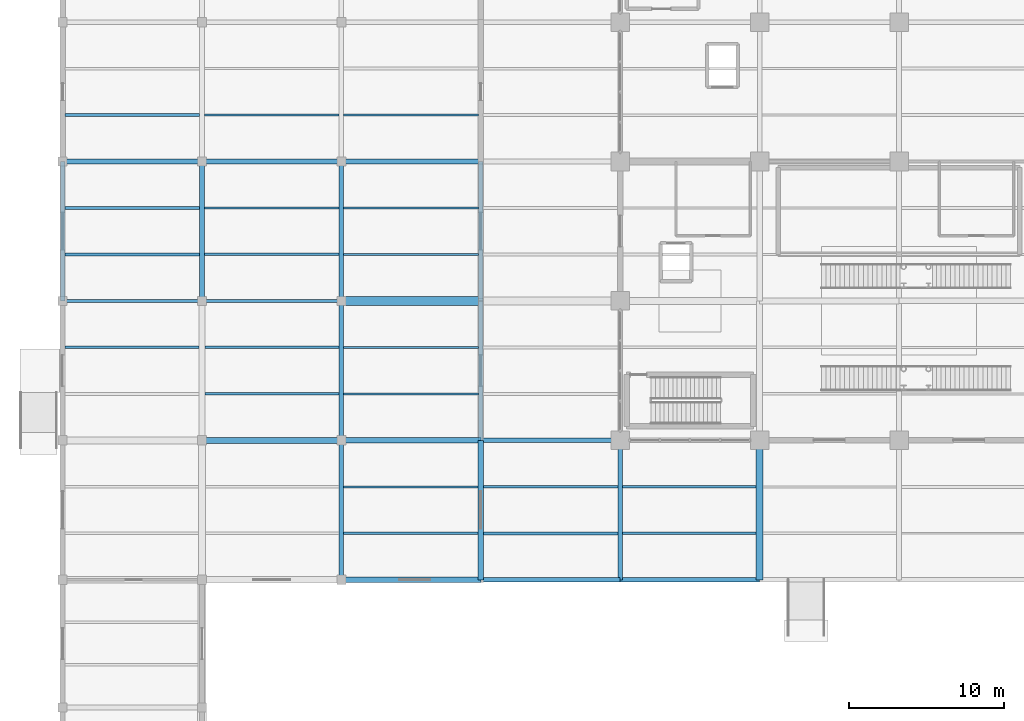
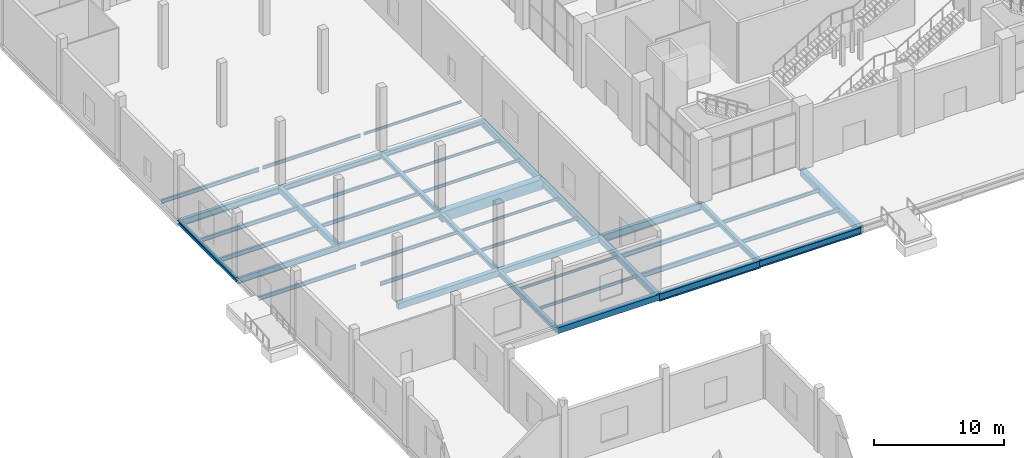
# One storey, part 16 of 144: 42 beams.
"""IFC4 building model written with IfcOpenShell, lengths in metres."""

from ifc_helpers import new_model, si_unit, direction, frame, origin, origin_2d, place, context, subcontext, project, spatial, rectangle, i_section, extrude, material, material_profile, profile_set, type_object, element, save


model = new_model("IFC4")

# Units and contexts
model_context = context("Model", 3, precision=1e-05, world=origin(), true_north=direction((0.0, 1.0)))
body_context = subcontext(model_context, "Body", "Model", "MODEL_VIEW")
ifc_project = project(units=[si_unit("LENGTHUNIT", "METRE"), si_unit("AREAUNIT", "SQUARE_METRE"), si_unit("VOLUMEUNIT", "CUBIC_METRE"), si_unit("PLANEANGLEUNIT", "RADIAN"), si_unit("MASSUNIT", "GRAM", prefix="KILO")], contexts=[model_context])

# Site, building, storey
site_placement = place(None, origin())
site = spatial("IfcSite", under=ifc_project, at=site_placement, CompositionType="ELEMENT")
building_placement = place(site_placement, origin())
building = spatial("IfcBuilding", under=site, at=building_placement, Name="Sundgate Opera House", CompositionType="ELEMENT")
storey_placement = place(building_placement, origin())
storey = spatial("IfcBuildingStorey", under=building, at=storey_placement, Name="L00", CompositionType="ELEMENT", Elevation=0.0)

# Beams
ifc_material_1 = material(Name="Steel S355J2", Category="steel")
ifc_material_profile_1 = material_profile(ifc_material_1, i_section(OverallWidth=0.300048828125, OverallDepth=0.389892578125, WebThickness=0.010986328125, FlangeThickness=0.01904296875, at=origin_2d()), Name="HEA 400")
ifc_profile_set_1 = profile_set([ifc_material_profile_1], Name="Steel S355J2")
beam_type_1 = type_object("IfcBeamType", Name="BM-GR-HEA400", PredefinedType="BEAM", material=ifc_profile_set_1)
beam_1_placement = place(storey_placement, frame((18.0, 51.0, -0.514892578125), z_axis=(0.0, 1.0, 0.0), x_axis=(-1.0, 0.0, 0.0)))
element("IfcBeam", 1, at=beam_1_placement, inside=storey, type_object=beam_type_1, Name="L00 Primary N-S Girder B0092", PredefinedType="BEAM", context=body_context, shape_type="SweptSolid", body=[
    extrude(i_section(OverallWidth=0.300048828125, OverallDepth=0.389892578125, WebThickness=0.010986328125, FlangeThickness=0.01904296875, at=origin_2d()), origin(), (0.0, 0.0, 1.0), 9.0),
])
ifc_material_2 = material(Name="Steel S355J2", Category="steel")
ifc_material_profile_2 = material_profile(ifc_material_2, i_section(OverallWidth=0.300048828125, OverallDepth=0.43994140625, WebThickness=0.011474609375, FlangeThickness=0.02099609375, at=origin_2d()), Name="HEA 450")
ifc_profile_set_2 = profile_set([ifc_material_profile_2], Name="Steel S355J2")
beam_type_2 = type_object("IfcBeamType", Name="BM-GR-HEA450", PredefinedType="BEAM", material=ifc_profile_set_2)
for number, where, z_axis, x_axis, name in (
    (2, (18.0, 42.0, -0.5400390625), (0.0, 1.0, 0.0), (-1.0, 0.0, 0.0), "L00 Primary N-S Girder B0091"),
    (3, (18.0, 60.0, -0.5400390625), (1.0, 0.0, 0.0), (0.0, 1.0, 0.0), "L00 Primary E-W Girder B0442"),
):
    element("IfcBeam", number, at=place(storey_placement, frame(where, z_axis=z_axis, x_axis=x_axis)), inside=storey, type_object=beam_type_2, Name=name, PredefinedType="BEAM", context=body_context, shape_type="SweptSolid", body=[
        extrude(i_section(OverallWidth=0.300048828125, OverallDepth=0.43994140625, WebThickness=0.011474609375, FlangeThickness=0.02099609375, at=origin_2d()), origin(), (0.0, 0.0, 1.0), 9.0),
    ])
ifc_material_3 = material(Name="Steel S355J2", Category="steel")
ifc_material_profile_3 = material_profile(ifc_material_3, i_section(OverallWidth=0.300048828125, OverallDepth=0.489990234375, WebThickness=0.011962890625, FlangeThickness=0.02294921875, at=origin_2d()), Name="HEA 500")
ifc_profile_set_3 = profile_set([ifc_material_profile_3], Name="Steel S355J2")
beam_type_3 = type_object("IfcBeamType", Name="BM-GR-HEA500", PredefinedType="BEAM", material=ifc_profile_set_3)
for number, where, z_axis, x_axis, name in (
    (4, (18.0, 33.0, -0.56494140625), (0.0, 1.0, 0.0), (-1.0, 0.0, 0.0), "L00 Primary N-S Girder B0090"),
    (5, (36.0, 33.0, -0.56494140625), (0.0, 1.0, 0.0), (-1.0, 0.0, 0.0), "L00 Primary N-S Girder B0112"),
    (6, (9.0, 60.0, -0.56494140625), (1.0, 0.0, 0.0), (0.0, 1.0, 0.0), "L00 Primary E-W Girder B0441"),
):
    element("IfcBeam", number, at=place(storey_placement, frame(where, z_axis=z_axis, x_axis=x_axis)), inside=storey, type_object=beam_type_3, Name=name, PredefinedType="BEAM", context=body_context, shape_type="SweptSolid", body=[
        extrude(i_section(OverallWidth=0.300048828125, OverallDepth=0.489990234375, WebThickness=0.011962890625, FlangeThickness=0.02294921875, at=origin_2d()), origin(), (0.0, 0.0, 1.0), 9.0),
    ])
ifc_material_4 = material(Name="Steel S355J2", Category="steel")
ifc_material_profile_4 = material_profile(ifc_material_4, i_section(OverallWidth=0.300048828125, OverallDepth=0.590087890625, WebThickness=0.012939453125, FlangeThickness=0.02490234375, at=origin_2d()), Name="HEA 600")
ifc_profile_set_4 = profile_set([ifc_material_profile_4], Name="Steel S355J2")
beam_type_4 = type_object("IfcBeamType", Name="BM-GR-HEA600", PredefinedType="BEAM", material=ifc_profile_set_4)
beam_2_placement = place(storey_placement, frame((0.0, 60.0, -0.614990234375), z_axis=(1.0, 0.0, 0.0), x_axis=(0.0, 1.0, 0.0)))
element("IfcBeam", 7, at=beam_2_placement, inside=storey, type_object=beam_type_4, Name="L00 Primary E-W Girder B0440", PredefinedType="BEAM", context=body_context, shape_type="SweptSolid", body=[
    extrude(i_section(OverallWidth=0.300048828125, OverallDepth=0.590087890625, WebThickness=0.012939453125, FlangeThickness=0.02490234375, at=origin_2d()), origin(), (0.0, 0.0, 1.0), 9.0),
])
ifc_material_5 = material(Name="Steel S355J2", Category="steel")
ifc_material_profile_5 = material_profile(ifc_material_5, i_section(OverallWidth=0.300048828125, OverallDepth=0.360107421875, WebThickness=0.012451171875, FlangeThickness=0.0224609375, at=origin_2d()), Name="HEB 360")
ifc_profile_set_5 = profile_set([ifc_material_profile_5], Name="Steel S355J2")
beam_type_5 = type_object("IfcBeamType", Name="BM-GR-HEB360", PredefinedType="BEAM", material=ifc_profile_set_5)
beam_3_placement = place(storey_placement, frame((0.0, 51.0, -0.5), z_axis=(0.0, 1.0, 0.0), x_axis=(-1.0, 0.0, 0.0)))
element("IfcBeam", 8, at=beam_3_placement, inside=storey, type_object=beam_type_5, Name="L00 Primary N-S Girder B0066", PredefinedType="BEAM", context=body_context, shape_type="SweptSolid", body=[
    extrude(i_section(OverallWidth=0.300048828125, OverallDepth=0.360107421875, WebThickness=0.012451171875, FlangeThickness=0.0224609375, at=origin_2d()), origin(), (0.0, 0.0, 1.0), 9.0),
])
ifc_material_6 = material(Name="Steel S355J2", Category="steel")
ifc_material_profile_6 = material_profile(ifc_material_6, i_section(OverallWidth=0.300048828125, OverallDepth=0.64990234375, WebThickness=0.01611328125, FlangeThickness=0.031005859375, at=origin_2d()), Name="HEB 650")
ifc_profile_set_6 = profile_set([ifc_material_profile_6], Name="Steel S355J2")
beam_type_6 = type_object("IfcBeamType", Name="BM-GR-HEB650", PredefinedType="BEAM", material=ifc_profile_set_6)
for number, where, z_axis, x_axis, name in (
    (9, (27.0, 51.0, -0.64501953125), (0.0, 1.0, 0.0), (-1.0, 0.0, 0.0), "L00 Primary N-S Girder B0104"),
    (10, (36.0, 33.0, -0.64501953125), (1.0, 0.0, 0.0), (0.0, 1.0, 0.0), "L00 Primary E-W Girder B0389"),
):
    element("IfcBeam", number, at=place(storey_placement, frame(where, z_axis=z_axis, x_axis=x_axis)), inside=storey, type_object=beam_type_6, Name=name, PredefinedType="BEAM", context=body_context, shape_type="SweptSolid", body=[
        extrude(i_section(OverallWidth=0.300048828125, OverallDepth=0.64990234375, WebThickness=0.01611328125, FlangeThickness=0.031005859375, at=origin_2d()), origin(), (0.0, 0.0, 1.0), 9.0),
    ])
ifc_material_7 = material(Name="Steel S355J2", Category="steel")
ifc_material_profile_7 = material_profile(ifc_material_7, i_section(OverallWidth=0.300048828125, OverallDepth=0.699951171875, WebThickness=0.01708984375, FlangeThickness=0.031982421875, at=origin_2d()), Name="HEB 700")
ifc_profile_set_7 = profile_set([ifc_material_profile_7], Name="Steel S355J2")
beam_type_7 = type_object("IfcBeamType", Name="BM-GR-HEB700", PredefinedType="BEAM", material=ifc_profile_set_7)
for number, where, z_axis, x_axis, name in (
    (11, (27.0, 42.0, -0.669921875), (0.0, 1.0, 0.0), (-1.0, 0.0, 0.0), "L00 Primary N-S Girder B0103"),
    (12, (27.0, 33.0, -0.669921875), (1.0, 0.0, 0.0), (0.0, 1.0, 0.0), "L00 Primary E-W Girder B0388"),
    (13, (27.0, 42.0, -0.669921875), (1.0, 0.0, 0.0), (0.0, 1.0, 0.0), "L00 Primary E-W Girder B0410"),
):
    element("IfcBeam", number, at=place(storey_placement, frame(where, z_axis=z_axis, x_axis=x_axis)), inside=storey, type_object=beam_type_7, Name=name, PredefinedType="BEAM", context=body_context, shape_type="SweptSolid", body=[
        extrude(i_section(OverallWidth=0.300048828125, OverallDepth=0.699951171875, WebThickness=0.01708984375, FlangeThickness=0.031982421875, at=origin_2d()), origin(), (0.0, 0.0, 1.0), 9.0),
    ])
ifc_material_8 = material(Name="Steel S355J2", Category="steel")
ifc_material_profile_8 = material_profile(ifc_material_8, i_section(OverallWidth=0.199951171875, OverallDepth=0.5, WebThickness=0.01025390625, FlangeThickness=0.01611328125, at=origin_2d()), Name="IPE 500")
ifc_profile_set_8 = profile_set([ifc_material_profile_8], Name="Steel S355J2")
beam_type_8 = type_object("IfcBeamType", Name="BM-GR-IPE500", PredefinedType="BEAM", material=ifc_profile_set_8)
beam_4_placement = place(storey_placement, frame((9.0, 51.0, -0.570068359375), z_axis=(1.0, 0.0, 0.0), x_axis=(0.0, 1.0, 0.0)))
element("IfcBeam", 14, at=beam_4_placement, inside=storey, type_object=beam_type_8, Name="L00 Primary E-W Girder B0426", PredefinedType="BEAM", context=body_context, shape_type="SweptSolid", body=[
    extrude(i_section(OverallWidth=0.199951171875, OverallDepth=0.5, WebThickness=0.01025390625, FlangeThickness=0.01611328125, at=origin_2d()), origin(), (0.0, 0.0, 1.0), 9.0),
])
ifc_material_9 = material(Name="Steel S355J2", Category="steel")
ifc_material_profile_9 = material_profile(ifc_material_9, i_section(OverallWidth=0.2099609375, OverallDepth=0.550048828125, WebThickness=0.010986328125, FlangeThickness=0.01708984375, at=origin_2d()), Name="IPE 550")
ifc_profile_set_9 = profile_set([ifc_material_profile_9], Name="Steel S355J2")
beam_type_9 = type_object("IfcBeamType", Name="BM-GR-IPE550", PredefinedType="BEAM", material=ifc_profile_set_9)
beam_5_placement = place(storey_placement, frame((0.0, 51.0, -0.594970703125), z_axis=(1.0, 0.0, 0.0), x_axis=(0.0, 1.0, 0.0)))
element("IfcBeam", 15, at=beam_5_placement, inside=storey, type_object=beam_type_9, Name="L00 Primary E-W Girder B0425", PredefinedType="BEAM", context=body_context, shape_type="SweptSolid", body=[
    extrude(i_section(OverallWidth=0.2099609375, OverallDepth=0.550048828125, WebThickness=0.010986328125, FlangeThickness=0.01708984375, at=origin_2d()), origin(), (0.0, 0.0, 1.0), 9.0),
])
ifc_material_10 = material(Name="Steel S355J2", Category="steel")
ifc_material_profile_10 = material_profile(ifc_material_10, i_section(OverallWidth=0.1201171875, OverallDepth=0.239990234375, WebThickness=0.006103515625, FlangeThickness=0.009765625, at=origin_2d()), Name="IPE 240")
ifc_profile_set_10 = profile_set([ifc_material_profile_10], Name="Steel S355J2")
beam_type_10 = type_object("IfcBeamType", Name="BM-JS-IPE240", PredefinedType="JOIST", material=ifc_profile_set_10)
beam_6_placement = place(storey_placement, frame((18.14990234375, 39.0, -0.43994140625), z_axis=(1.0, 0.0, 0.0), x_axis=(0.0, 1.0, 0.0)))
element("IfcBeam", 16, at=beam_6_placement, inside=storey, type_object=beam_type_10, Name="L00 Secondary Floor Joist B0713", PredefinedType="JOIST", context=body_context, shape_type="SweptSolid", body=[
    extrude(i_section(OverallWidth=0.1201171875, OverallDepth=0.239990234375, WebThickness=0.006103515625, FlangeThickness=0.009765625, at=origin_2d()), origin(), (0.0, 0.0, 1.0), 8.675048828125),
])
for number, where, z_axis, x_axis, name in (
    (17, (18.14990234375, 48.0, -0.43994140625), (1.0, 0.0, 0.0), (0.0, 1.0, 0.0), "L00 Secondary Floor Joist B0748"),
    (18, (18.14990234375, 57.0, -0.43994140625), (1.0, 0.0, 0.0), (0.0, 1.0, 0.0), "L00 Secondary Floor Joist B0776"),
    (19, (18.14990234375, 63.0, -0.43994140625), (1.0, 0.0, 0.0), (0.0, 1.0, 0.0), "L00 Secondary Floor Joist B0804"),
):
    element("IfcBeam", number, at=place(storey_placement, frame(where, z_axis=z_axis, x_axis=x_axis)), inside=storey, type_object=beam_type_10, Name=name, PredefinedType="JOIST", context=body_context, shape_type="SweptSolid", body=[
        extrude(i_section(OverallWidth=0.1201171875, OverallDepth=0.239990234375, WebThickness=0.006103515625, FlangeThickness=0.009765625, at=origin_2d()), origin(), (0.0, 0.0, 1.0), 8.7001953125),
    ])
ifc_material_11 = material(Name="Steel S355J2", Category="steel")
ifc_material_profile_11 = material_profile(ifc_material_11, i_section(OverallWidth=0.135009765625, OverallDepth=0.27001953125, WebThickness=0.006591796875, FlangeThickness=0.01025390625, at=origin_2d()), Name="IPE 270")
ifc_profile_set_11 = profile_set([ifc_material_profile_11], Name="Steel S355J2")
beam_type_11 = type_object("IfcBeamType", Name="BM-JS-IPE270", PredefinedType="JOIST", material=ifc_profile_set_11)
beam_7_placement = place(storey_placement, frame((18.14990234375, 36.0, -0.455078125), z_axis=(1.0, 0.0, 0.0), x_axis=(0.0, 1.0, 0.0)))
element("IfcBeam", 20, at=beam_7_placement, inside=storey, type_object=beam_type_11, Name="L00 Secondary Floor Joist B0712", PredefinedType="JOIST", context=body_context, shape_type="SweptSolid", body=[
    extrude(i_section(OverallWidth=0.135009765625, OverallDepth=0.27001953125, WebThickness=0.006591796875, FlangeThickness=0.01025390625, at=origin_2d()), origin(), (0.0, 0.0, 1.0), 8.675048828125),
])
for number, where, z_axis, x_axis, name in (
    (21, (18.14990234375, 45.0, -0.455078125), (1.0, 0.0, 0.0), (0.0, 1.0, 0.0), "L00 Secondary Floor Joist B0747"),
    (22, (18.14990234375, 54.0, -0.455078125), (1.0, 0.0, 0.0), (0.0, 1.0, 0.0), "L00 Secondary Floor Joist B0775"),
):
    element("IfcBeam", number, at=place(storey_placement, frame(where, z_axis=z_axis, x_axis=x_axis)), inside=storey, type_object=beam_type_11, Name=name, PredefinedType="JOIST", context=body_context, shape_type="SweptSolid", body=[
        extrude(i_section(OverallWidth=0.135009765625, OverallDepth=0.27001953125, WebThickness=0.006591796875, FlangeThickness=0.01025390625, at=origin_2d()), origin(), (0.0, 0.0, 1.0), 8.7001953125),
    ])
ifc_material_12 = material(Name="Steel S355J2", Category="steel")
ifc_material_profile_12 = material_profile(ifc_material_12, i_section(OverallWidth=0.14990234375, OverallDepth=0.300048828125, WebThickness=0.007080078125, FlangeThickness=0.0107421875, at=origin_2d()), Name="IPE 300")
ifc_profile_set_12 = profile_set([ifc_material_profile_12], Name="Steel S355J2")
beam_type_12 = type_object("IfcBeamType", Name="BM-JS-IPE300", PredefinedType="JOIST", material=ifc_profile_set_12)
beam_8_placement = place(storey_placement, frame((9.199951171875, 48.0, -0.469970703125), z_axis=(1.0, 0.0, 0.0), x_axis=(0.0, 1.0, 0.0)))
element("IfcBeam", 23, at=beam_8_placement, inside=storey, type_object=beam_type_12, Name="L00 Secondary Floor Joist B0746", PredefinedType="JOIST", context=body_context, shape_type="SweptSolid", body=[
    extrude(i_section(OverallWidth=0.14990234375, OverallDepth=0.300048828125, WebThickness=0.007080078125, FlangeThickness=0.0107421875, at=origin_2d()), origin(), (0.0, 0.0, 1.0), 8.650146484375),
])
beam_9_placement = place(storey_placement, frame((9.175048828125, 57.0, -0.469970703125), z_axis=(1.0, 0.0, 0.0), x_axis=(0.0, 1.0, 0.0)))
element("IfcBeam", 24, at=beam_9_placement, inside=storey, type_object=beam_type_12, Name="L00 Secondary Floor Joist B0774", PredefinedType="JOIST", context=body_context, shape_type="SweptSolid", body=[
    extrude(i_section(OverallWidth=0.14990234375, OverallDepth=0.300048828125, WebThickness=0.007080078125, FlangeThickness=0.0107421875, at=origin_2d()), origin(), (0.0, 0.0, 1.0), 8.675048828125),
])
beam_10_placement = place(storey_placement, frame((9.14990234375, 63.0, -0.469970703125), z_axis=(1.0, 0.0, 0.0), x_axis=(0.0, 1.0, 0.0)))
element("IfcBeam", 25, at=beam_10_placement, inside=storey, type_object=beam_type_12, Name="L00 Secondary Floor Joist B0802", PredefinedType="JOIST", context=body_context, shape_type="SweptSolid", body=[
    extrude(i_section(OverallWidth=0.14990234375, OverallDepth=0.300048828125, WebThickness=0.007080078125, FlangeThickness=0.0107421875, at=origin_2d()), origin(), (0.0, 0.0, 1.0), 8.7001953125),
])
ifc_material_13 = material(Name="Steel S355J2", Category="steel")
ifc_material_profile_13 = material_profile(ifc_material_13, i_section(OverallWidth=0.159912109375, OverallDepth=0.330078125, WebThickness=0.007568359375, FlangeThickness=0.011474609375, at=origin_2d()), Name="IPE 330")
ifc_profile_set_13 = profile_set([ifc_material_profile_13], Name="Steel S355J2")
beam_type_13 = type_object("IfcBeamType", Name="BM-JS-IPE330", PredefinedType="JOIST", material=ifc_profile_set_13)
beam_11_placement = place(storey_placement, frame((36.14990234375, 39.0, -0.485107421875), z_axis=(1.0, 0.0, 0.0), x_axis=(0.0, 1.0, 0.0)))
element("IfcBeam", 26, at=beam_11_placement, inside=storey, type_object=beam_type_13, Name="L00 Secondary Floor Joist B0717", PredefinedType="JOIST", context=body_context, shape_type="SweptSolid", body=[
    extrude(i_section(OverallWidth=0.159912109375, OverallDepth=0.330078125, WebThickness=0.007568359375, FlangeThickness=0.011474609375, at=origin_2d()), origin(), (0.0, 0.0, 1.0), 8.625),
])
beam_12_placement = place(storey_placement, frame((9.199951171875, 45.0, -0.485107421875), z_axis=(1.0, 0.0, 0.0), x_axis=(0.0, 1.0, 0.0)))
element("IfcBeam", 27, at=beam_12_placement, inside=storey, type_object=beam_type_13, Name="L00 Secondary Floor Joist B0745", PredefinedType="JOIST", context=body_context, shape_type="SweptSolid", body=[
    extrude(i_section(OverallWidth=0.159912109375, OverallDepth=0.330078125, WebThickness=0.007568359375, FlangeThickness=0.011474609375, at=origin_2d()), origin(), (0.0, 0.0, 1.0), 8.650146484375),
])
beam_13_placement = place(storey_placement, frame((9.175048828125, 54.0, -0.485107421875), z_axis=(1.0, 0.0, 0.0), x_axis=(0.0, 1.0, 0.0)))
element("IfcBeam", 28, at=beam_13_placement, inside=storey, type_object=beam_type_13, Name="L00 Secondary Floor Joist B0773", PredefinedType="JOIST", context=body_context, shape_type="SweptSolid", body=[
    extrude(i_section(OverallWidth=0.159912109375, OverallDepth=0.330078125, WebThickness=0.007568359375, FlangeThickness=0.011474609375, at=origin_2d()), origin(), (0.0, 0.0, 1.0), 8.675048828125),
])
ifc_material_14 = material(Name="Steel S355J2", Category="steel")
ifc_material_profile_14 = material_profile(ifc_material_14, i_section(OverallWidth=0.169921875, OverallDepth=0.360107421875, WebThickness=0.008056640625, FlangeThickness=0.0126953125, at=origin_2d()), Name="IPE 360")
ifc_profile_set_14 = profile_set([ifc_material_profile_14], Name="Steel S355J2")
beam_type_14 = type_object("IfcBeamType", Name="BM-JS-IPE360", PredefinedType="JOIST", material=ifc_profile_set_14)
beam_14_placement = place(storey_placement, frame((36.14990234375, 36.0, -0.5), z_axis=(1.0, 0.0, 0.0), x_axis=(0.0, 1.0, 0.0)))
element("IfcBeam", 29, at=beam_14_placement, inside=storey, type_object=beam_type_14, Name="L00 Secondary Floor Joist B0716", PredefinedType="JOIST", context=body_context, shape_type="SweptSolid", body=[
    extrude(i_section(OverallWidth=0.169921875, OverallDepth=0.360107421875, WebThickness=0.008056640625, FlangeThickness=0.0126953125, at=origin_2d()), origin(), (0.0, 0.0, 1.0), 8.625),
])
beam_15_placement = place(storey_placement, frame((0.14990234375, 48.0, -0.5), z_axis=(1.0, 0.0, 0.0), x_axis=(0.0, 1.0, 0.0)))
element("IfcBeam", 30, at=beam_15_placement, inside=storey, type_object=beam_type_14, Name="L00 Secondary Floor Joist B0744", PredefinedType="JOIST", context=body_context, shape_type="SweptSolid", body=[
    extrude(i_section(OverallWidth=0.169921875, OverallDepth=0.360107421875, WebThickness=0.008056640625, FlangeThickness=0.0126953125, at=origin_2d()), origin(), (0.0, 0.0, 1.0), 8.650146484375),
])
beam_16_placement = place(storey_placement, frame((0.14990234375, 57.0, -0.5), z_axis=(1.0, 0.0, 0.0), x_axis=(0.0, 1.0, 0.0)))
element("IfcBeam", 31, at=beam_16_placement, inside=storey, type_object=beam_type_14, Name="L00 Secondary Floor Joist B0772", PredefinedType="JOIST", context=body_context, shape_type="SweptSolid", body=[
    extrude(i_section(OverallWidth=0.169921875, OverallDepth=0.360107421875, WebThickness=0.008056640625, FlangeThickness=0.0126953125, at=origin_2d()), origin(), (0.0, 0.0, 1.0), 8.675048828125),
])
beam_17_placement = place(storey_placement, frame((0.14990234375, 63.0, -0.5), z_axis=(1.0, 0.0, 0.0), x_axis=(0.0, 1.0, 0.0)))
element("IfcBeam", 32, at=beam_17_placement, inside=storey, type_object=beam_type_14, Name="L00 Secondary Floor Joist B0800", PredefinedType="JOIST", context=body_context, shape_type="SweptSolid", body=[
    extrude(i_section(OverallWidth=0.169921875, OverallDepth=0.360107421875, WebThickness=0.008056640625, FlangeThickness=0.0126953125, at=origin_2d()), origin(), (0.0, 0.0, 1.0), 8.7001953125),
])
ifc_material_15 = material(Name="Steel S355J2", Category="steel")
ifc_material_profile_15 = material_profile(ifc_material_15, i_section(OverallWidth=0.179931640625, OverallDepth=0.39990234375, WebThickness=0.008544921875, FlangeThickness=0.013427734375, at=origin_2d()), Name="IPE 400")
ifc_profile_set_15 = profile_set([ifc_material_profile_15], Name="Steel S355J2")
beam_type_15 = type_object("IfcBeamType", Name="BM-JS-IPE400", PredefinedType="JOIST", material=ifc_profile_set_15)
for number, where, z_axis, x_axis, name in (
    (33, (27.175048828125, 39.0, -0.52001953125), (1.0, 0.0, 0.0), (0.0, 1.0, 0.0), "L00 Secondary Floor Joist B0715"),
    (34, (0.14990234375, 54.0, -0.52001953125), (1.0, 0.0, 0.0), (0.0, 1.0, 0.0), "L00 Secondary Floor Joist B0771"),
):
    element("IfcBeam", number, at=place(storey_placement, frame(where, z_axis=z_axis, x_axis=x_axis)), inside=storey, type_object=beam_type_15, Name=name, PredefinedType="JOIST", context=body_context, shape_type="SweptSolid", body=[
        extrude(i_section(OverallWidth=0.179931640625, OverallDepth=0.39990234375, WebThickness=0.008544921875, FlangeThickness=0.013427734375, at=origin_2d()), origin(), (0.0, 0.0, 1.0), 8.675048828125),
    ])
ifc_material_16 = material(Name="Steel S355J2", Category="steel")
ifc_material_profile_16 = material_profile(ifc_material_16, i_section(OverallWidth=0.18994140625, OverallDepth=0.449951171875, WebThickness=0.009521484375, FlangeThickness=0.0146484375, at=origin_2d()), Name="IPE 450")
ifc_profile_set_16 = profile_set([ifc_material_profile_16], Name="Steel S355J2")
beam_type_16 = type_object("IfcBeamType", Name="BM-JS-IPE450", PredefinedType="JOIST", material=ifc_profile_set_16)
beam_18_placement = place(storey_placement, frame((27.175048828125, 36.0, -0.544921875), z_axis=(1.0, 0.0, 0.0), x_axis=(0.0, 1.0, 0.0)))
element("IfcBeam", 35, at=beam_18_placement, inside=storey, type_object=beam_type_16, Name="L00 Secondary Floor Joist B0714", PredefinedType="JOIST", context=body_context, shape_type="SweptSolid", body=[
    extrude(i_section(OverallWidth=0.18994140625, OverallDepth=0.449951171875, WebThickness=0.009521484375, FlangeThickness=0.0146484375, at=origin_2d()), origin(), (0.0, 0.0, 1.0), 8.675048828125),
])
ifc_material_17 = material(Name="Concrete C35/45", Category="concrete")
ifc_material_profile_17 = material_profile(ifc_material_17, rectangle(XDim=0.35009765625, YDim=0.550048828125, at=origin_2d()), Name="RC 350x550")
ifc_profile_set_17 = profile_set([ifc_material_profile_17], Name="Concrete C35/45")
beam_type_17 = type_object("IfcBeamType", Name="BM-RC-350x550", PredefinedType="BEAM", material=ifc_profile_set_17)
for number, where, z_axis, x_axis, name in (
    (36, (9.0, 51.0, -0.594970703125), (0.0, 1.0, 0.0), (-1.0, 0.0, 0.0), "L00 Primary N-S Girder B0080"),
    (37, (27.0, 33.0, -0.594970703125), (0.0, 1.0, 0.0), (-1.0, 0.0, 0.0), "L00 Primary N-S Girder B0102"),
    (38, (18.0, 33.0, -0.594970703125), (1.0, 0.0, 0.0), (0.0, 1.0, 0.0), "L00 Primary E-W Girder B0387"),
    (39, (18.0, 42.0, -0.594970703125), (1.0, 0.0, 0.0), (0.0, 1.0, 0.0), "L00 Primary E-W Girder B0409"),
):
    element("IfcBeam", number, at=place(storey_placement, frame(where, z_axis=z_axis, x_axis=x_axis)), inside=storey, type_object=beam_type_17, Name=name, PredefinedType="BEAM", context=body_context, shape_type="SweptSolid", body=[
        extrude(rectangle(XDim=0.35009765625, YDim=0.550048828125, at=origin_2d()), origin(), (0.0, 0.0, 1.0), 9.0),
    ])
ifc_material_18 = material(Name="Concrete C35/45", Category="concrete")
ifc_material_profile_18 = material_profile(ifc_material_18, rectangle(XDim=0.39990234375, YDim=0.60009765625, at=origin_2d()), Name="RC 400x600")
ifc_profile_set_18 = profile_set([ifc_material_profile_18], Name="Concrete C35/45")
beam_type_18 = type_object("IfcBeamType", Name="BM-RC-400x600", PredefinedType="BEAM", material=ifc_profile_set_18)
beam_19_placement = place(storey_placement, frame((9.0, 42.0, -0.6201171875), z_axis=(1.0, 0.0, 0.0), x_axis=(0.0, 1.0, 0.0)))
element("IfcBeam", 40, at=beam_19_placement, inside=storey, type_object=beam_type_18, Name="L00 Primary E-W Girder B0408", PredefinedType="BEAM", context=body_context, shape_type="SweptSolid", body=[
    extrude(rectangle(XDim=0.39990234375, YDim=0.60009765625, at=origin_2d()), origin(), (0.0, 0.0, 1.0), 9.0),
])
ifc_material_19 = material(Name="Concrete C35/45", Category="concrete")
ifc_material_profile_19 = material_profile(ifc_material_19, rectangle(XDim=0.449951171875, YDim=0.64990234375, at=origin_2d()), Name="RC 450x650")
ifc_profile_set_19 = profile_set([ifc_material_profile_19], Name="Concrete C35/45")
beam_type_19 = type_object("IfcBeamType", Name="BM-RC-450x650", PredefinedType="BEAM", material=ifc_profile_set_19)
beam_20_placement = place(storey_placement, frame((45.0, 33.0, -0.64501953125), z_axis=(0.0, 1.0, 0.0), x_axis=(-1.0, 0.0, 0.0)))
element("IfcBeam", 41, at=beam_20_placement, inside=storey, type_object=beam_type_19, Name="L00 Primary N-S Girder B0122", PredefinedType="BEAM", context=body_context, shape_type="SweptSolid", body=[
    extrude(rectangle(XDim=0.449951171875, YDim=0.64990234375, at=origin_2d()), origin(), (0.0, 0.0, 1.0), 9.0),
])
ifc_material_20 = material(Name="Concrete C40/50", Category="concrete")
ifc_material_profile_20 = material_profile(ifc_material_20, rectangle(XDim=0.60009765625, YDim=0.949951171875, at=origin_2d()), Name="RC 600x950")
ifc_profile_set_20 = profile_set([ifc_material_profile_20], Name="Concrete C40/50")
beam_type_20 = type_object("IfcBeamType", Name="BM-RC-600x950", PredefinedType="BEAM", material=ifc_profile_set_20)
beam_21_placement = place(storey_placement, frame((18.0, 51.0, -0.794921875), z_axis=(1.0, 0.0, 0.0), x_axis=(0.0, 1.0, 0.0)))
element("IfcBeam", 42, at=beam_21_placement, inside=storey, type_object=beam_type_20, Name="L00 Primary E-W Girder B0427", PredefinedType="BEAM", context=body_context, shape_type="SweptSolid", body=[
    extrude(rectangle(XDim=0.60009765625, YDim=0.949951171875, at=origin_2d()), origin(), (0.0, 0.0, 1.0), 9.0),
])

save(model, "model.ifc")
